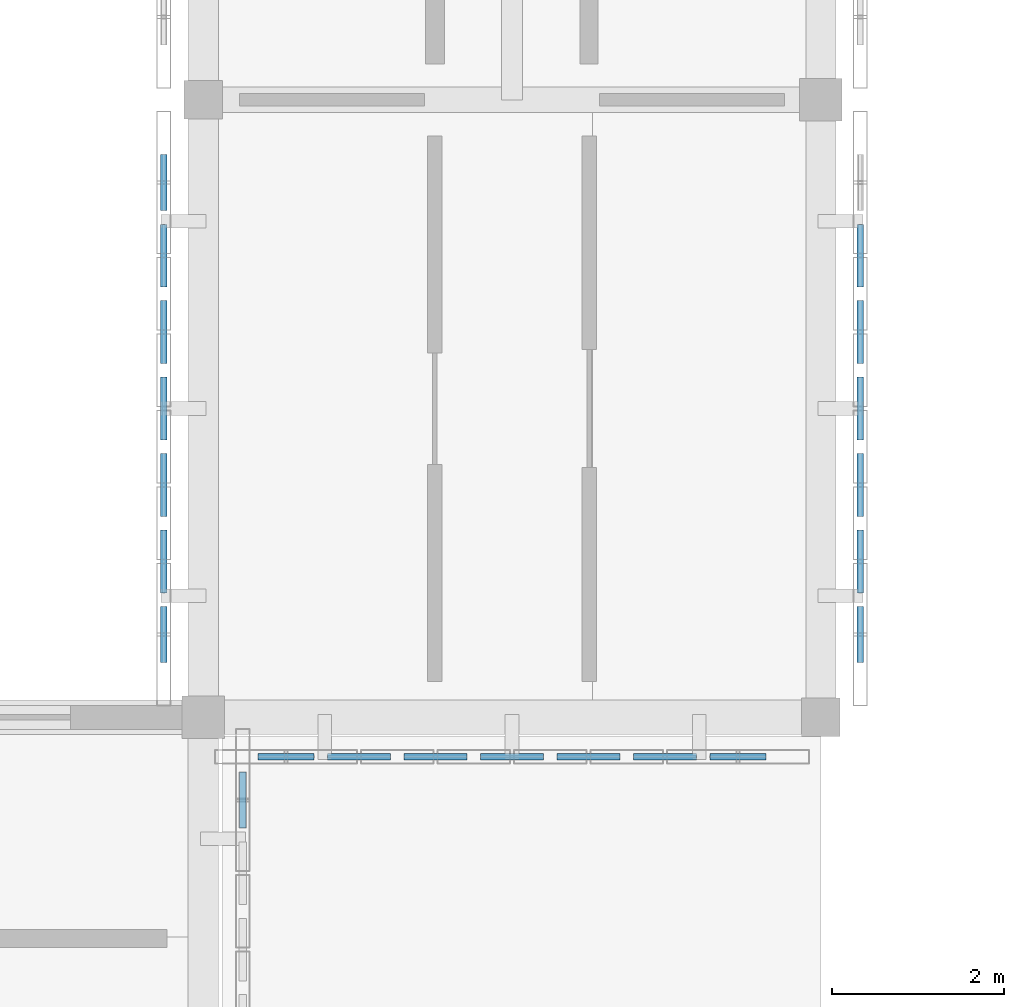
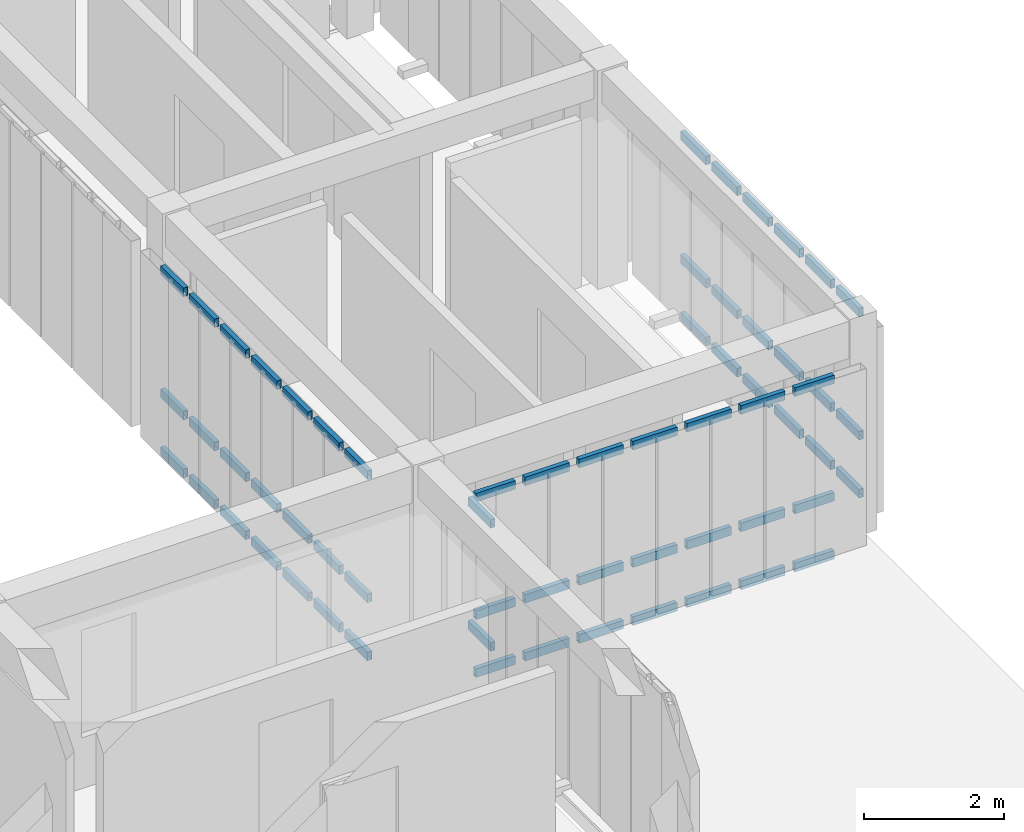
# One storey, part 19 of 67: 62 members, 4 elements without a shape of their own.
"""IFC4 building model written with IfcOpenShell, lengths in metres."""

from ifc_helpers import new_model, si_unit, direction, frame, origin, origin_2d, place, context, subcontext, project, spatial, hollow_rectangle, extrude, material, material_profile, profile_set, type_object, element, aggregate, save


model = new_model("IFC4")

# Units and contexts
model_context = context("Model", 3, precision=1e-05, world=origin(), true_north=direction((0.0, 1.0)))
body_context = subcontext(model_context, "Body", "Model", "MODEL_VIEW")
ifc_project = project(units=[si_unit("LENGTHUNIT", "METRE"), si_unit("AREAUNIT", "SQUARE_METRE"), si_unit("VOLUMEUNIT", "CUBIC_METRE"), si_unit("PLANEANGLEUNIT", "RADIAN"), si_unit("MASSUNIT", "GRAM", prefix="KILO")], contexts=[model_context])

# Site, building, storey
site_placement = place(None, origin())
site = spatial("IfcSite", under=ifc_project, at=site_placement, CompositionType="ELEMENT")
building_placement = place(site_placement, origin())
building = spatial("IfcBuilding", under=site, at=building_placement, Name="Aldebral Square Health Centre", CompositionType="ELEMENT")
storey_placement = place(building_placement, frame((0.0, 0.0, 13.5)))
storey = spatial("IfcBuildingStorey", under=building, at=storey_placement, Name="L03", CompositionType="ELEMENT", Elevation=13.5)

# Curtain wall, members
ifc_material_1 = material(Name="Aluminium and low-E solar glass", Category="aluminium")
curtain_wall_type = type_object("IfcCurtainWallType", Name="CW-FIN-SYS", PredefinedType="USERDEFINED", material=ifc_material_1)
curtain_wall_1_placement = place(storey_placement, origin())
curtain_wall_1 = element("IfcCurtainWall", 1, at=curtain_wall_1_placement, inside=storey, type_object=curtain_wall_type, Name="L03 V4 finned curtain wall L03-V4-02-08-E", ObjectType="SOLAR_CURTAIN_WALL", PredefinedType="USERDEFINED")
ifc_material_2 = material(Name="Anodised aluminium transom", Category="aluminium")
ifc_material_profile = material_profile(ifc_material_2, hollow_rectangle(XDim=0.074951171875, YDim=0.14990234375, WallThickness=0.00390625, at=origin_2d()), Name="CWT 75x150x4")
ifc_profile_set = profile_set([ifc_material_profile], Name="Anodised aluminium transom")
member_type = type_object("IfcMemberType", Name="CWT-STD", PredefinedType="USERDEFINED", material=ifc_profile_set)
member_1_placement = place(storey_placement, frame((22.06005859375, 63.508544921875, 1.050048828125), z_axis=(0.0, 1.0, 0.0), x_axis=(-1.0, 0.0, 0.0)))
member_1 = element("IfcMember", 2, at=member_1_placement, type_object=member_type, Name="CW1 transom 7.2", ObjectType="TRANSOM", PredefinedType="USERDEFINED", context=body_context, shape_type="SweptSolid", body=[
    extrude(hollow_rectangle(XDim=0.074951171875, YDim=0.14990234375, WallThickness=0.00390625, at=origin_2d()), origin(), (0.0, 0.0, 1.0), 0.6513671875),
])
member_2_placement = place(storey_placement, frame((22.06005859375, 63.508544921875, 3.202392578125), z_axis=(0.0, 1.0, 0.0), x_axis=(-1.0, 0.0, 0.0)))
member_2 = element("IfcMember", 3, at=member_2_placement, type_object=member_type, Name="CW1 transom 7.3", ObjectType="TRANSOM", PredefinedType="USERDEFINED", context=body_context, shape_type="SweptSolid", body=[
    extrude(hollow_rectangle(XDim=0.074951171875, YDim=0.14990234375, WallThickness=0.00390625, at=origin_2d()), origin(), (0.0, 0.0, 1.0), 0.6513671875),
])
aggregate(curtain_wall_1, [member_1, member_2])

curtain_wall_2_placement = place(storey_placement, origin())
curtain_wall_2 = element("IfcCurtainWall", 4, at=curtain_wall_2_placement, inside=storey, type_object=curtain_wall_type, Name="L03 V4 finned curtain wall L03-V4-03-09-S", ObjectType="SOLAR_CURTAIN_WALL", PredefinedType="USERDEFINED")
member_3_placement = place(storey_placement, frame((22.239990234375, 64.340087890625, 0.03759765625), z_axis=(1.0, 0.0, 0.0), x_axis=(0.0, 1.0, 0.0)))
member_3 = element("IfcMember", 5, at=member_3_placement, type_object=member_type, Name="CW1 transom 1.1", ObjectType="TRANSOM", PredefinedType="USERDEFINED", context=body_context, shape_type="SweptSolid", body=[
    extrude(hollow_rectangle(XDim=0.074951171875, YDim=0.14990234375, WallThickness=0.00390625, at=origin_2d()), origin(), (0.0, 0.0, 1.0), 0.6513671875),
])
member_4_placement = place(storey_placement, frame((22.239990234375, 64.340087890625, 1.050048828125), z_axis=(1.0, 0.0, 0.0), x_axis=(0.0, 1.0, 0.0)))
member_4 = element("IfcMember", 6, at=member_4_placement, type_object=member_type, Name="CW1 transom 1.2", ObjectType="TRANSOM", PredefinedType="USERDEFINED", context=body_context, shape_type="SweptSolid", body=[
    extrude(hollow_rectangle(XDim=0.074951171875, YDim=0.14990234375, WallThickness=0.00390625, at=origin_2d()), origin(), (0.0, 0.0, 1.0), 0.6513671875),
])
member_5_placement = place(storey_placement, frame((22.239990234375, 64.340087890625, 3.1025390625), z_axis=(1.0, 0.0, 0.0), x_axis=(0.0, 1.0, 0.0)))
member_5 = element("IfcMember", 7, at=member_5_placement, type_object=member_type, Name="CW1 transom 1.3", ObjectType="TRANSOM", PredefinedType="USERDEFINED", context=body_context, shape_type="SweptSolid", body=[
    extrude(hollow_rectangle(XDim=0.074951171875, YDim=0.14990234375, WallThickness=0.00390625, at=origin_2d()), origin(), (0.0, 0.0, 1.0), 0.6513671875),
])
member_6_placement = place(storey_placement, frame((23.051513671875, 64.340087890625, 0.03759765625), z_axis=(1.0, 0.0, 0.0), x_axis=(0.0, 1.0, 0.0)))
member_6 = element("IfcMember", 8, at=member_6_placement, type_object=member_type, Name="CW1 transom 2.1", ObjectType="TRANSOM", PredefinedType="USERDEFINED", context=body_context, shape_type="SweptSolid", body=[
    extrude(hollow_rectangle(XDim=0.074951171875, YDim=0.14990234375, WallThickness=0.00390625, at=origin_2d()), origin(), (0.0, 0.0, 1.0), 0.7314453125),
])
member_7_placement = place(storey_placement, frame((23.051513671875, 64.340087890625, 1.050048828125), z_axis=(1.0, 0.0, 0.0), x_axis=(0.0, 1.0, 0.0)))
member_7 = element("IfcMember", 9, at=member_7_placement, type_object=member_type, Name="CW1 transom 2.2", ObjectType="TRANSOM", PredefinedType="USERDEFINED", context=body_context, shape_type="SweptSolid", body=[
    extrude(hollow_rectangle(XDim=0.074951171875, YDim=0.14990234375, WallThickness=0.00390625, at=origin_2d()), origin(), (0.0, 0.0, 1.0), 0.7314453125),
])
member_8_placement = place(storey_placement, frame((23.051513671875, 64.340087890625, 3.1025390625), z_axis=(1.0, 0.0, 0.0), x_axis=(0.0, 1.0, 0.0)))
member_8 = element("IfcMember", 10, at=member_8_placement, type_object=member_type, Name="CW1 transom 2.3", ObjectType="TRANSOM", PredefinedType="USERDEFINED", context=body_context, shape_type="SweptSolid", body=[
    extrude(hollow_rectangle(XDim=0.074951171875, YDim=0.14990234375, WallThickness=0.00390625, at=origin_2d()), origin(), (0.0, 0.0, 1.0), 0.7314453125),
])
member_9_placement = place(storey_placement, frame((23.94287109375, 64.340087890625, 0.03759765625), z_axis=(1.0, 0.0, 0.0), x_axis=(0.0, 1.0, 0.0)))
member_9 = element("IfcMember", 11, at=member_9_placement, type_object=member_type, Name="CW1 transom 3.1", ObjectType="TRANSOM", PredefinedType="USERDEFINED", context=body_context, shape_type="SweptSolid", body=[
    extrude(hollow_rectangle(XDim=0.074951171875, YDim=0.14990234375, WallThickness=0.00390625, at=origin_2d()), origin(), (0.0, 0.0, 1.0), 0.7314453125),
])
member_10_placement = place(storey_placement, frame((23.94287109375, 64.340087890625, 1.050048828125), z_axis=(1.0, 0.0, 0.0), x_axis=(0.0, 1.0, 0.0)))
member_10 = element("IfcMember", 12, at=member_10_placement, type_object=member_type, Name="CW1 transom 3.2", ObjectType="TRANSOM", PredefinedType="USERDEFINED", context=body_context, shape_type="SweptSolid", body=[
    extrude(hollow_rectangle(XDim=0.074951171875, YDim=0.14990234375, WallThickness=0.00390625, at=origin_2d()), origin(), (0.0, 0.0, 1.0), 0.7314453125),
])
member_11_placement = place(storey_placement, frame((23.94287109375, 64.340087890625, 3.1025390625), z_axis=(1.0, 0.0, 0.0), x_axis=(0.0, 1.0, 0.0)))
member_11 = element("IfcMember", 13, at=member_11_placement, type_object=member_type, Name="CW1 transom 3.3", ObjectType="TRANSOM", PredefinedType="USERDEFINED", context=body_context, shape_type="SweptSolid", body=[
    extrude(hollow_rectangle(XDim=0.074951171875, YDim=0.14990234375, WallThickness=0.00390625, at=origin_2d()), origin(), (0.0, 0.0, 1.0), 0.7314453125),
])
member_12_placement = place(storey_placement, frame((24.834228515625, 64.340087890625, 0.03759765625), z_axis=(1.0, 0.0, 0.0), x_axis=(0.0, 1.0, 0.0)))
member_12 = element("IfcMember", 14, at=member_12_placement, type_object=member_type, Name="CW1 transom 4.1", ObjectType="TRANSOM", PredefinedType="USERDEFINED", context=body_context, shape_type="SweptSolid", body=[
    extrude(hollow_rectangle(XDim=0.074951171875, YDim=0.14990234375, WallThickness=0.00390625, at=origin_2d()), origin(), (0.0, 0.0, 1.0), 0.7314453125),
])
member_13_placement = place(storey_placement, frame((24.834228515625, 64.340087890625, 1.050048828125), z_axis=(1.0, 0.0, 0.0), x_axis=(0.0, 1.0, 0.0)))
member_13 = element("IfcMember", 15, at=member_13_placement, type_object=member_type, Name="CW1 transom 4.2", ObjectType="TRANSOM", PredefinedType="USERDEFINED", context=body_context, shape_type="SweptSolid", body=[
    extrude(hollow_rectangle(XDim=0.074951171875, YDim=0.14990234375, WallThickness=0.00390625, at=origin_2d()), origin(), (0.0, 0.0, 1.0), 0.7314453125),
])
member_14_placement = place(storey_placement, frame((24.834228515625, 64.340087890625, 3.1025390625), z_axis=(1.0, 0.0, 0.0), x_axis=(0.0, 1.0, 0.0)))
member_14 = element("IfcMember", 16, at=member_14_placement, type_object=member_type, Name="CW1 transom 4.3", ObjectType="TRANSOM", PredefinedType="USERDEFINED", context=body_context, shape_type="SweptSolid", body=[
    extrude(hollow_rectangle(XDim=0.074951171875, YDim=0.14990234375, WallThickness=0.00390625, at=origin_2d()), origin(), (0.0, 0.0, 1.0), 0.7314453125),
])
member_15_placement = place(storey_placement, frame((25.725830078125, 64.340087890625, 0.03759765625), z_axis=(1.0, 0.0, 0.0), x_axis=(0.0, 1.0, 0.0)))
member_15 = element("IfcMember", 17, at=member_15_placement, type_object=member_type, Name="CW1 transom 5.1", ObjectType="TRANSOM", PredefinedType="USERDEFINED", context=body_context, shape_type="SweptSolid", body=[
    extrude(hollow_rectangle(XDim=0.074951171875, YDim=0.14990234375, WallThickness=0.00390625, at=origin_2d()), origin(), (0.0, 0.0, 1.0), 0.731201171875),
])
member_16_placement = place(storey_placement, frame((25.725830078125, 64.340087890625, 1.050048828125), z_axis=(1.0, 0.0, 0.0), x_axis=(0.0, 1.0, 0.0)))
member_16 = element("IfcMember", 18, at=member_16_placement, type_object=member_type, Name="CW1 transom 5.2", ObjectType="TRANSOM", PredefinedType="USERDEFINED", context=body_context, shape_type="SweptSolid", body=[
    extrude(hollow_rectangle(XDim=0.074951171875, YDim=0.14990234375, WallThickness=0.00390625, at=origin_2d()), origin(), (0.0, 0.0, 1.0), 0.731201171875),
])
member_17_placement = place(storey_placement, frame((25.725830078125, 64.340087890625, 3.1025390625), z_axis=(1.0, 0.0, 0.0), x_axis=(0.0, 1.0, 0.0)))
member_17 = element("IfcMember", 19, at=member_17_placement, type_object=member_type, Name="CW1 transom 5.3", ObjectType="TRANSOM", PredefinedType="USERDEFINED", context=body_context, shape_type="SweptSolid", body=[
    extrude(hollow_rectangle(XDim=0.074951171875, YDim=0.14990234375, WallThickness=0.00390625, at=origin_2d()), origin(), (0.0, 0.0, 1.0), 0.731201171875),
])
member_18_placement = place(storey_placement, frame((26.6171875, 64.340087890625, 0.03759765625), z_axis=(1.0, 0.0, 0.0), x_axis=(0.0, 1.0, 0.0)))
member_18 = element("IfcMember", 20, at=member_18_placement, type_object=member_type, Name="CW1 transom 6.1", ObjectType="TRANSOM", PredefinedType="USERDEFINED", context=body_context, shape_type="SweptSolid", body=[
    extrude(hollow_rectangle(XDim=0.074951171875, YDim=0.14990234375, WallThickness=0.00390625, at=origin_2d()), origin(), (0.0, 0.0, 1.0), 0.7314453125),
])
member_19_placement = place(storey_placement, frame((26.6171875, 64.340087890625, 1.050048828125), z_axis=(1.0, 0.0, 0.0), x_axis=(0.0, 1.0, 0.0)))
member_19 = element("IfcMember", 21, at=member_19_placement, type_object=member_type, Name="CW1 transom 6.2", ObjectType="TRANSOM", PredefinedType="USERDEFINED", context=body_context, shape_type="SweptSolid", body=[
    extrude(hollow_rectangle(XDim=0.074951171875, YDim=0.14990234375, WallThickness=0.00390625, at=origin_2d()), origin(), (0.0, 0.0, 1.0), 0.7314453125),
])
member_20_placement = place(storey_placement, frame((26.6171875, 64.340087890625, 3.1025390625), z_axis=(1.0, 0.0, 0.0), x_axis=(0.0, 1.0, 0.0)))
member_20 = element("IfcMember", 22, at=member_20_placement, type_object=member_type, Name="CW1 transom 6.3", ObjectType="TRANSOM", PredefinedType="USERDEFINED", context=body_context, shape_type="SweptSolid", body=[
    extrude(hollow_rectangle(XDim=0.074951171875, YDim=0.14990234375, WallThickness=0.00390625, at=origin_2d()), origin(), (0.0, 0.0, 1.0), 0.7314453125),
])
member_21_placement = place(storey_placement, frame((27.508544921875, 64.340087890625, 0.03759765625), z_axis=(1.0, 0.0, 0.0), x_axis=(0.0, 1.0, 0.0)))
member_21 = element("IfcMember", 23, at=member_21_placement, type_object=member_type, Name="CW1 transom 7.1", ObjectType="TRANSOM", PredefinedType="USERDEFINED", context=body_context, shape_type="SweptSolid", body=[
    extrude(hollow_rectangle(XDim=0.074951171875, YDim=0.14990234375, WallThickness=0.00390625, at=origin_2d()), origin(), (0.0, 0.0, 1.0), 0.6513671875),
])
member_22_placement = place(storey_placement, frame((27.508544921875, 64.340087890625, 1.050048828125), z_axis=(1.0, 0.0, 0.0), x_axis=(0.0, 1.0, 0.0)))
member_22 = element("IfcMember", 24, at=member_22_placement, type_object=member_type, Name="CW1 transom 7.2", ObjectType="TRANSOM", PredefinedType="USERDEFINED", context=body_context, shape_type="SweptSolid", body=[
    extrude(hollow_rectangle(XDim=0.074951171875, YDim=0.14990234375, WallThickness=0.00390625, at=origin_2d()), origin(), (0.0, 0.0, 1.0), 0.6513671875),
])
member_23_placement = place(storey_placement, frame((27.508544921875, 64.340087890625, 3.1025390625), z_axis=(1.0, 0.0, 0.0), x_axis=(0.0, 1.0, 0.0)))
member_23 = element("IfcMember", 25, at=member_23_placement, type_object=member_type, Name="CW1 transom 7.3", ObjectType="TRANSOM", PredefinedType="USERDEFINED", context=body_context, shape_type="SweptSolid", body=[
    extrude(hollow_rectangle(XDim=0.074951171875, YDim=0.14990234375, WallThickness=0.00390625, at=origin_2d()), origin(), (0.0, 0.0, 1.0), 0.6513671875),
])
aggregate(curtain_wall_2, [member_3, member_4, member_5, member_6, member_7, member_8, member_9, member_10, member_11, member_12, member_13, member_14, member_15, member_16, member_17, member_18, member_19, member_20, member_21, member_22, member_23])

curtain_wall_3_placement = place(storey_placement, origin())
curtain_wall_3 = element("IfcCurtainWall", 26, at=curtain_wall_3_placement, inside=storey, type_object=curtain_wall_type, Name="L03 V4 finned curtain wall L03-V4-03-09-W", ObjectType="SOLAR_CURTAIN_WALL", PredefinedType="USERDEFINED")
member_24_placement = place(storey_placement, frame((21.139892578125, 71.360107421875, 0.03759765625), z_axis=(0.0, -1.0, 0.0), x_axis=(1.0, 0.0, 0.0)))
member_24 = element("IfcMember", 27, at=member_24_placement, type_object=member_type, Name="CW1 transom 1.1", ObjectType="TRANSOM", PredefinedType="USERDEFINED", context=body_context, shape_type="SweptSolid", body=[
    extrude(hollow_rectangle(XDim=0.074951171875, YDim=0.14990234375, WallThickness=0.00390625, at=origin_2d()), origin(), (0.0, 0.0, 1.0), 0.651611328125),
])
member_25_placement = place(storey_placement, frame((21.139892578125, 71.360107421875, 1.050048828125), z_axis=(0.0, -1.0, 0.0), x_axis=(1.0, 0.0, 0.0)))
member_25 = element("IfcMember", 28, at=member_25_placement, type_object=member_type, Name="CW1 transom 1.2", ObjectType="TRANSOM", PredefinedType="USERDEFINED", context=body_context, shape_type="SweptSolid", body=[
    extrude(hollow_rectangle(XDim=0.074951171875, YDim=0.14990234375, WallThickness=0.00390625, at=origin_2d()), origin(), (0.0, 0.0, 1.0), 0.651611328125),
])
member_26_placement = place(storey_placement, frame((21.139892578125, 71.360107421875, 3.202392578125), z_axis=(0.0, -1.0, 0.0), x_axis=(1.0, 0.0, 0.0)))
member_26 = element("IfcMember", 29, at=member_26_placement, type_object=member_type, Name="CW1 transom 1.3", ObjectType="TRANSOM", PredefinedType="USERDEFINED", context=body_context, shape_type="SweptSolid", body=[
    extrude(hollow_rectangle(XDim=0.074951171875, YDim=0.14990234375, WallThickness=0.00390625, at=origin_2d()), origin(), (0.0, 0.0, 1.0), 0.651611328125),
])
member_27_placement = place(storey_placement, frame((21.139892578125, 70.548583984375, 0.03759765625), z_axis=(0.0, -1.0, 0.0), x_axis=(1.0, 0.0, 0.0)))
member_27 = element("IfcMember", 30, at=member_27_placement, type_object=member_type, Name="CW1 transom 2.1", ObjectType="TRANSOM", PredefinedType="USERDEFINED", context=body_context, shape_type="SweptSolid", body=[
    extrude(hollow_rectangle(XDim=0.074951171875, YDim=0.14990234375, WallThickness=0.00390625, at=origin_2d()), origin(), (0.0, 0.0, 1.0), 0.7314453125),
])
member_28_placement = place(storey_placement, frame((21.139892578125, 70.548583984375, 1.050048828125), z_axis=(0.0, -1.0, 0.0), x_axis=(1.0, 0.0, 0.0)))
member_28 = element("IfcMember", 31, at=member_28_placement, type_object=member_type, Name="CW1 transom 2.2", ObjectType="TRANSOM", PredefinedType="USERDEFINED", context=body_context, shape_type="SweptSolid", body=[
    extrude(hollow_rectangle(XDim=0.074951171875, YDim=0.14990234375, WallThickness=0.00390625, at=origin_2d()), origin(), (0.0, 0.0, 1.0), 0.7314453125),
])
member_29_placement = place(storey_placement, frame((21.139892578125, 70.548583984375, 3.202392578125), z_axis=(0.0, -1.0, 0.0), x_axis=(1.0, 0.0, 0.0)))
member_29 = element("IfcMember", 32, at=member_29_placement, type_object=member_type, Name="CW1 transom 2.3", ObjectType="TRANSOM", PredefinedType="USERDEFINED", context=body_context, shape_type="SweptSolid", body=[
    extrude(hollow_rectangle(XDim=0.074951171875, YDim=0.14990234375, WallThickness=0.00390625, at=origin_2d()), origin(), (0.0, 0.0, 1.0), 0.7314453125),
])
member_30_placement = place(storey_placement, frame((21.139892578125, 69.6572265625, 0.03759765625), z_axis=(0.0, -1.0, 0.0), x_axis=(1.0, 0.0, 0.0)))
member_30 = element("IfcMember", 33, at=member_30_placement, type_object=member_type, Name="CW1 transom 3.1", ObjectType="TRANSOM", PredefinedType="USERDEFINED", context=body_context, shape_type="SweptSolid", body=[
    extrude(hollow_rectangle(XDim=0.074951171875, YDim=0.14990234375, WallThickness=0.00390625, at=origin_2d()), origin(), (0.0, 0.0, 1.0), 0.7314453125),
])
member_31_placement = place(storey_placement, frame((21.139892578125, 69.6572265625, 1.050048828125), z_axis=(0.0, -1.0, 0.0), x_axis=(1.0, 0.0, 0.0)))
member_31 = element("IfcMember", 34, at=member_31_placement, type_object=member_type, Name="CW1 transom 3.2", ObjectType="TRANSOM", PredefinedType="USERDEFINED", context=body_context, shape_type="SweptSolid", body=[
    extrude(hollow_rectangle(XDim=0.074951171875, YDim=0.14990234375, WallThickness=0.00390625, at=origin_2d()), origin(), (0.0, 0.0, 1.0), 0.7314453125),
])
member_32_placement = place(storey_placement, frame((21.139892578125, 69.6572265625, 3.202392578125), z_axis=(0.0, -1.0, 0.0), x_axis=(1.0, 0.0, 0.0)))
member_32 = element("IfcMember", 35, at=member_32_placement, type_object=member_type, Name="CW1 transom 3.3", ObjectType="TRANSOM", PredefinedType="USERDEFINED", context=body_context, shape_type="SweptSolid", body=[
    extrude(hollow_rectangle(XDim=0.074951171875, YDim=0.14990234375, WallThickness=0.00390625, at=origin_2d()), origin(), (0.0, 0.0, 1.0), 0.7314453125),
])
member_33_placement = place(storey_placement, frame((21.139892578125, 68.765625, 0.03759765625), z_axis=(0.0, -1.0, 0.0), x_axis=(1.0, 0.0, 0.0)))
member_33 = element("IfcMember", 36, at=member_33_placement, type_object=member_type, Name="CW1 transom 4.1", ObjectType="TRANSOM", PredefinedType="USERDEFINED", context=body_context, shape_type="SweptSolid", body=[
    extrude(hollow_rectangle(XDim=0.074951171875, YDim=0.14990234375, WallThickness=0.00390625, at=origin_2d()), origin(), (0.0, 0.0, 1.0), 0.7314453125),
])
member_34_placement = place(storey_placement, frame((21.139892578125, 68.765625, 1.050048828125), z_axis=(0.0, -1.0, 0.0), x_axis=(1.0, 0.0, 0.0)))
member_34 = element("IfcMember", 37, at=member_34_placement, type_object=member_type, Name="CW1 transom 4.2", ObjectType="TRANSOM", PredefinedType="USERDEFINED", context=body_context, shape_type="SweptSolid", body=[
    extrude(hollow_rectangle(XDim=0.074951171875, YDim=0.14990234375, WallThickness=0.00390625, at=origin_2d()), origin(), (0.0, 0.0, 1.0), 0.7314453125),
])
member_35_placement = place(storey_placement, frame((21.139892578125, 68.765625, 3.202392578125), z_axis=(0.0, -1.0, 0.0), x_axis=(1.0, 0.0, 0.0)))
member_35 = element("IfcMember", 38, at=member_35_placement, type_object=member_type, Name="CW1 transom 4.3", ObjectType="TRANSOM", PredefinedType="USERDEFINED", context=body_context, shape_type="SweptSolid", body=[
    extrude(hollow_rectangle(XDim=0.074951171875, YDim=0.14990234375, WallThickness=0.00390625, at=origin_2d()), origin(), (0.0, 0.0, 1.0), 0.7314453125),
])
member_36_placement = place(storey_placement, frame((21.139892578125, 67.874267578125, 0.03759765625), z_axis=(0.0, -1.0, 0.0), x_axis=(1.0, 0.0, 0.0)))
member_36 = element("IfcMember", 39, at=member_36_placement, type_object=member_type, Name="CW1 transom 5.1", ObjectType="TRANSOM", PredefinedType="USERDEFINED", context=body_context, shape_type="SweptSolid", body=[
    extrude(hollow_rectangle(XDim=0.074951171875, YDim=0.14990234375, WallThickness=0.00390625, at=origin_2d()), origin(), (0.0, 0.0, 1.0), 0.7314453125),
])
member_37_placement = place(storey_placement, frame((21.139892578125, 67.874267578125, 1.050048828125), z_axis=(0.0, -1.0, 0.0), x_axis=(1.0, 0.0, 0.0)))
member_37 = element("IfcMember", 40, at=member_37_placement, type_object=member_type, Name="CW1 transom 5.2", ObjectType="TRANSOM", PredefinedType="USERDEFINED", context=body_context, shape_type="SweptSolid", body=[
    extrude(hollow_rectangle(XDim=0.074951171875, YDim=0.14990234375, WallThickness=0.00390625, at=origin_2d()), origin(), (0.0, 0.0, 1.0), 0.7314453125),
])
member_38_placement = place(storey_placement, frame((21.139892578125, 67.874267578125, 3.202392578125), z_axis=(0.0, -1.0, 0.0), x_axis=(1.0, 0.0, 0.0)))
member_38 = element("IfcMember", 41, at=member_38_placement, type_object=member_type, Name="CW1 transom 5.3", ObjectType="TRANSOM", PredefinedType="USERDEFINED", context=body_context, shape_type="SweptSolid", body=[
    extrude(hollow_rectangle(XDim=0.074951171875, YDim=0.14990234375, WallThickness=0.00390625, at=origin_2d()), origin(), (0.0, 0.0, 1.0), 0.7314453125),
])
member_39_placement = place(storey_placement, frame((21.139892578125, 66.98291015625, 0.03759765625), z_axis=(0.0, -1.0, 0.0), x_axis=(1.0, 0.0, 0.0)))
member_39 = element("IfcMember", 42, at=member_39_placement, type_object=member_type, Name="CW1 transom 6.1", ObjectType="TRANSOM", PredefinedType="USERDEFINED", context=body_context, shape_type="SweptSolid", body=[
    extrude(hollow_rectangle(XDim=0.074951171875, YDim=0.14990234375, WallThickness=0.00390625, at=origin_2d()), origin(), (0.0, 0.0, 1.0), 0.7314453125),
])
member_40_placement = place(storey_placement, frame((21.139892578125, 66.98291015625, 1.050048828125), z_axis=(0.0, -1.0, 0.0), x_axis=(1.0, 0.0, 0.0)))
member_40 = element("IfcMember", 43, at=member_40_placement, type_object=member_type, Name="CW1 transom 6.2", ObjectType="TRANSOM", PredefinedType="USERDEFINED", context=body_context, shape_type="SweptSolid", body=[
    extrude(hollow_rectangle(XDim=0.074951171875, YDim=0.14990234375, WallThickness=0.00390625, at=origin_2d()), origin(), (0.0, 0.0, 1.0), 0.7314453125),
])
member_41_placement = place(storey_placement, frame((21.139892578125, 66.98291015625, 3.202392578125), z_axis=(0.0, -1.0, 0.0), x_axis=(1.0, 0.0, 0.0)))
member_41 = element("IfcMember", 44, at=member_41_placement, type_object=member_type, Name="CW1 transom 6.3", ObjectType="TRANSOM", PredefinedType="USERDEFINED", context=body_context, shape_type="SweptSolid", body=[
    extrude(hollow_rectangle(XDim=0.074951171875, YDim=0.14990234375, WallThickness=0.00390625, at=origin_2d()), origin(), (0.0, 0.0, 1.0), 0.7314453125),
])
member_42_placement = place(storey_placement, frame((21.139892578125, 66.09130859375, 0.03759765625), z_axis=(0.0, -1.0, 0.0), x_axis=(1.0, 0.0, 0.0)))
member_42 = element("IfcMember", 45, at=member_42_placement, type_object=member_type, Name="CW1 transom 7.1", ObjectType="TRANSOM", PredefinedType="USERDEFINED", context=body_context, shape_type="SweptSolid", body=[
    extrude(hollow_rectangle(XDim=0.074951171875, YDim=0.14990234375, WallThickness=0.00390625, at=origin_2d()), origin(), (0.0, 0.0, 1.0), 0.6513671875),
])
member_43_placement = place(storey_placement, frame((21.139892578125, 66.09130859375, 1.050048828125), z_axis=(0.0, -1.0, 0.0), x_axis=(1.0, 0.0, 0.0)))
member_43 = element("IfcMember", 46, at=member_43_placement, type_object=member_type, Name="CW1 transom 7.2", ObjectType="TRANSOM", PredefinedType="USERDEFINED", context=body_context, shape_type="SweptSolid", body=[
    extrude(hollow_rectangle(XDim=0.074951171875, YDim=0.14990234375, WallThickness=0.00390625, at=origin_2d()), origin(), (0.0, 0.0, 1.0), 0.6513671875),
])
member_44_placement = place(storey_placement, frame((21.139892578125, 66.09130859375, 3.202392578125), z_axis=(0.0, -1.0, 0.0), x_axis=(1.0, 0.0, 0.0)))
member_44 = element("IfcMember", 47, at=member_44_placement, type_object=member_type, Name="CW1 transom 7.3", ObjectType="TRANSOM", PredefinedType="USERDEFINED", context=body_context, shape_type="SweptSolid", body=[
    extrude(hollow_rectangle(XDim=0.074951171875, YDim=0.14990234375, WallThickness=0.00390625, at=origin_2d()), origin(), (0.0, 0.0, 1.0), 0.6513671875),
])
aggregate(curtain_wall_3, [member_24, member_25, member_26, member_27, member_28, member_29, member_30, member_31, member_32, member_33, member_34, member_35, member_36, member_37, member_38, member_39, member_40, member_41, member_42, member_43, member_44])

curtain_wall_4_placement = place(storey_placement, origin())
curtain_wall_4 = element("IfcCurtainWall", 48, at=curtain_wall_4_placement, inside=storey, type_object=curtain_wall_type, Name="L03 V4 finned curtain wall L03-V4-03-09-E", ObjectType="SOLAR_CURTAIN_WALL", PredefinedType="USERDEFINED")
member_45_placement = place(storey_placement, frame((29.260009765625, 65.43994140625, 0.03759765625), z_axis=(0.0, 1.0, 0.0), x_axis=(-1.0, 0.0, 0.0)))
member_45 = element("IfcMember", 49, at=member_45_placement, type_object=member_type, Name="CW1 transom 1.1", ObjectType="TRANSOM", PredefinedType="USERDEFINED", context=body_context, shape_type="SweptSolid", body=[
    extrude(hollow_rectangle(XDim=0.074951171875, YDim=0.14990234375, WallThickness=0.00390625, at=origin_2d()), origin(), (0.0, 0.0, 1.0), 0.6513671875),
])
member_46_placement = place(storey_placement, frame((29.260009765625, 65.43994140625, 1.050048828125), z_axis=(0.0, 1.0, 0.0), x_axis=(-1.0, 0.0, 0.0)))
member_46 = element("IfcMember", 50, at=member_46_placement, type_object=member_type, Name="CW1 transom 1.2", ObjectType="TRANSOM", PredefinedType="USERDEFINED", context=body_context, shape_type="SweptSolid", body=[
    extrude(hollow_rectangle(XDim=0.074951171875, YDim=0.14990234375, WallThickness=0.00390625, at=origin_2d()), origin(), (0.0, 0.0, 1.0), 0.6513671875),
])
member_47_placement = place(storey_placement, frame((29.260009765625, 65.43994140625, 3.202392578125), z_axis=(0.0, 1.0, 0.0), x_axis=(-1.0, 0.0, 0.0)))
member_47 = element("IfcMember", 51, at=member_47_placement, type_object=member_type, Name="CW1 transom 1.3", ObjectType="TRANSOM", PredefinedType="USERDEFINED", context=body_context, shape_type="SweptSolid", body=[
    extrude(hollow_rectangle(XDim=0.074951171875, YDim=0.14990234375, WallThickness=0.00390625, at=origin_2d()), origin(), (0.0, 0.0, 1.0), 0.6513671875),
])
member_48_placement = place(storey_placement, frame((29.260009765625, 66.25146484375, 0.03759765625), z_axis=(0.0, 1.0, 0.0), x_axis=(-1.0, 0.0, 0.0)))
member_48 = element("IfcMember", 52, at=member_48_placement, type_object=member_type, Name="CW1 transom 2.1", ObjectType="TRANSOM", PredefinedType="USERDEFINED", context=body_context, shape_type="SweptSolid", body=[
    extrude(hollow_rectangle(XDim=0.074951171875, YDim=0.14990234375, WallThickness=0.00390625, at=origin_2d()), origin(), (0.0, 0.0, 1.0), 0.7314453125),
])
member_49_placement = place(storey_placement, frame((29.260009765625, 66.25146484375, 1.050048828125), z_axis=(0.0, 1.0, 0.0), x_axis=(-1.0, 0.0, 0.0)))
member_49 = element("IfcMember", 53, at=member_49_placement, type_object=member_type, Name="CW1 transom 2.2", ObjectType="TRANSOM", PredefinedType="USERDEFINED", context=body_context, shape_type="SweptSolid", body=[
    extrude(hollow_rectangle(XDim=0.074951171875, YDim=0.14990234375, WallThickness=0.00390625, at=origin_2d()), origin(), (0.0, 0.0, 1.0), 0.7314453125),
])
member_50_placement = place(storey_placement, frame((29.260009765625, 66.25146484375, 3.202392578125), z_axis=(0.0, 1.0, 0.0), x_axis=(-1.0, 0.0, 0.0)))
member_50 = element("IfcMember", 54, at=member_50_placement, type_object=member_type, Name="CW1 transom 2.3", ObjectType="TRANSOM", PredefinedType="USERDEFINED", context=body_context, shape_type="SweptSolid", body=[
    extrude(hollow_rectangle(XDim=0.074951171875, YDim=0.14990234375, WallThickness=0.00390625, at=origin_2d()), origin(), (0.0, 0.0, 1.0), 0.7314453125),
])
member_51_placement = place(storey_placement, frame((29.260009765625, 67.142822265625, 0.03759765625), z_axis=(0.0, 1.0, 0.0), x_axis=(-1.0, 0.0, 0.0)))
member_51 = element("IfcMember", 55, at=member_51_placement, type_object=member_type, Name="CW1 transom 3.1", ObjectType="TRANSOM", PredefinedType="USERDEFINED", context=body_context, shape_type="SweptSolid", body=[
    extrude(hollow_rectangle(XDim=0.074951171875, YDim=0.14990234375, WallThickness=0.00390625, at=origin_2d()), origin(), (0.0, 0.0, 1.0), 0.7314453125),
])
member_52_placement = place(storey_placement, frame((29.260009765625, 67.142822265625, 1.050048828125), z_axis=(0.0, 1.0, 0.0), x_axis=(-1.0, 0.0, 0.0)))
member_52 = element("IfcMember", 56, at=member_52_placement, type_object=member_type, Name="CW1 transom 3.2", ObjectType="TRANSOM", PredefinedType="USERDEFINED", context=body_context, shape_type="SweptSolid", body=[
    extrude(hollow_rectangle(XDim=0.074951171875, YDim=0.14990234375, WallThickness=0.00390625, at=origin_2d()), origin(), (0.0, 0.0, 1.0), 0.7314453125),
])
member_53_placement = place(storey_placement, frame((29.260009765625, 67.142822265625, 3.202392578125), z_axis=(0.0, 1.0, 0.0), x_axis=(-1.0, 0.0, 0.0)))
member_53 = element("IfcMember", 57, at=member_53_placement, type_object=member_type, Name="CW1 transom 3.3", ObjectType="TRANSOM", PredefinedType="USERDEFINED", context=body_context, shape_type="SweptSolid", body=[
    extrude(hollow_rectangle(XDim=0.074951171875, YDim=0.14990234375, WallThickness=0.00390625, at=origin_2d()), origin(), (0.0, 0.0, 1.0), 0.7314453125),
])
member_54_placement = place(storey_placement, frame((29.260009765625, 68.0341796875, 0.03759765625), z_axis=(0.0, 1.0, 0.0), x_axis=(-1.0, 0.0, 0.0)))
member_54 = element("IfcMember", 58, at=member_54_placement, type_object=member_type, Name="CW1 transom 4.1", ObjectType="TRANSOM", PredefinedType="USERDEFINED", context=body_context, shape_type="SweptSolid", body=[
    extrude(hollow_rectangle(XDim=0.074951171875, YDim=0.14990234375, WallThickness=0.00390625, at=origin_2d()), origin(), (0.0, 0.0, 1.0), 0.7314453125),
])
member_55_placement = place(storey_placement, frame((29.260009765625, 68.0341796875, 1.050048828125), z_axis=(0.0, 1.0, 0.0), x_axis=(-1.0, 0.0, 0.0)))
member_55 = element("IfcMember", 59, at=member_55_placement, type_object=member_type, Name="CW1 transom 4.2", ObjectType="TRANSOM", PredefinedType="USERDEFINED", context=body_context, shape_type="SweptSolid", body=[
    extrude(hollow_rectangle(XDim=0.074951171875, YDim=0.14990234375, WallThickness=0.00390625, at=origin_2d()), origin(), (0.0, 0.0, 1.0), 0.7314453125),
])
member_56_placement = place(storey_placement, frame((29.260009765625, 68.0341796875, 3.202392578125), z_axis=(0.0, 1.0, 0.0), x_axis=(-1.0, 0.0, 0.0)))
member_56 = element("IfcMember", 60, at=member_56_placement, type_object=member_type, Name="CW1 transom 4.3", ObjectType="TRANSOM", PredefinedType="USERDEFINED", context=body_context, shape_type="SweptSolid", body=[
    extrude(hollow_rectangle(XDim=0.074951171875, YDim=0.14990234375, WallThickness=0.00390625, at=origin_2d()), origin(), (0.0, 0.0, 1.0), 0.7314453125),
])
member_57_placement = place(storey_placement, frame((29.260009765625, 68.92578125, 0.03759765625), z_axis=(0.0, 1.0, 0.0), x_axis=(-1.0, 0.0, 0.0)))
member_57 = element("IfcMember", 61, at=member_57_placement, type_object=member_type, Name="CW1 transom 5.1", ObjectType="TRANSOM", PredefinedType="USERDEFINED", context=body_context, shape_type="SweptSolid", body=[
    extrude(hollow_rectangle(XDim=0.074951171875, YDim=0.14990234375, WallThickness=0.00390625, at=origin_2d()), origin(), (0.0, 0.0, 1.0), 0.7314453125),
])
member_58_placement = place(storey_placement, frame((29.260009765625, 68.92578125, 1.050048828125), z_axis=(0.0, 1.0, 0.0), x_axis=(-1.0, 0.0, 0.0)))
member_58 = element("IfcMember", 62, at=member_58_placement, type_object=member_type, Name="CW1 transom 5.2", ObjectType="TRANSOM", PredefinedType="USERDEFINED", context=body_context, shape_type="SweptSolid", body=[
    extrude(hollow_rectangle(XDim=0.074951171875, YDim=0.14990234375, WallThickness=0.00390625, at=origin_2d()), origin(), (0.0, 0.0, 1.0), 0.7314453125),
])
member_59_placement = place(storey_placement, frame((29.260009765625, 68.92578125, 3.202392578125), z_axis=(0.0, 1.0, 0.0), x_axis=(-1.0, 0.0, 0.0)))
member_59 = element("IfcMember", 63, at=member_59_placement, type_object=member_type, Name="CW1 transom 5.3", ObjectType="TRANSOM", PredefinedType="USERDEFINED", context=body_context, shape_type="SweptSolid", body=[
    extrude(hollow_rectangle(XDim=0.074951171875, YDim=0.14990234375, WallThickness=0.00390625, at=origin_2d()), origin(), (0.0, 0.0, 1.0), 0.7314453125),
])
member_60_placement = place(storey_placement, frame((29.260009765625, 69.817138671875, 0.03759765625), z_axis=(0.0, 1.0, 0.0), x_axis=(-1.0, 0.0, 0.0)))
member_60 = element("IfcMember", 64, at=member_60_placement, type_object=member_type, Name="CW1 transom 6.1", ObjectType="TRANSOM", PredefinedType="USERDEFINED", context=body_context, shape_type="SweptSolid", body=[
    extrude(hollow_rectangle(XDim=0.074951171875, YDim=0.14990234375, WallThickness=0.00390625, at=origin_2d()), origin(), (0.0, 0.0, 1.0), 0.7314453125),
])
member_61_placement = place(storey_placement, frame((29.260009765625, 69.817138671875, 1.050048828125), z_axis=(0.0, 1.0, 0.0), x_axis=(-1.0, 0.0, 0.0)))
member_61 = element("IfcMember", 65, at=member_61_placement, type_object=member_type, Name="CW1 transom 6.2", ObjectType="TRANSOM", PredefinedType="USERDEFINED", context=body_context, shape_type="SweptSolid", body=[
    extrude(hollow_rectangle(XDim=0.074951171875, YDim=0.14990234375, WallThickness=0.00390625, at=origin_2d()), origin(), (0.0, 0.0, 1.0), 0.7314453125),
])
member_62_placement = place(storey_placement, frame((29.260009765625, 69.817138671875, 3.202392578125), z_axis=(0.0, 1.0, 0.0), x_axis=(-1.0, 0.0, 0.0)))
member_62 = element("IfcMember", 66, at=member_62_placement, type_object=member_type, Name="CW1 transom 6.3", ObjectType="TRANSOM", PredefinedType="USERDEFINED", context=body_context, shape_type="SweptSolid", body=[
    extrude(hollow_rectangle(XDim=0.074951171875, YDim=0.14990234375, WallThickness=0.00390625, at=origin_2d()), origin(), (0.0, 0.0, 1.0), 0.7314453125),
])
aggregate(curtain_wall_4, [member_45, member_46, member_47, member_48, member_49, member_50, member_51, member_52, member_53, member_54, member_55, member_56, member_57, member_58, member_59, member_60, member_61, member_62])

save(model, "model.ifc")
